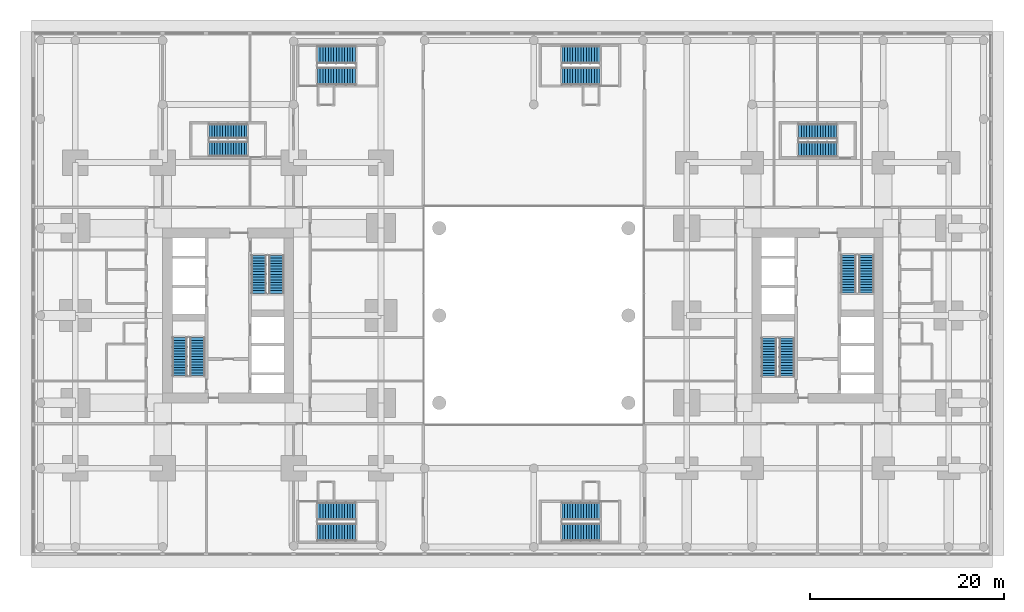
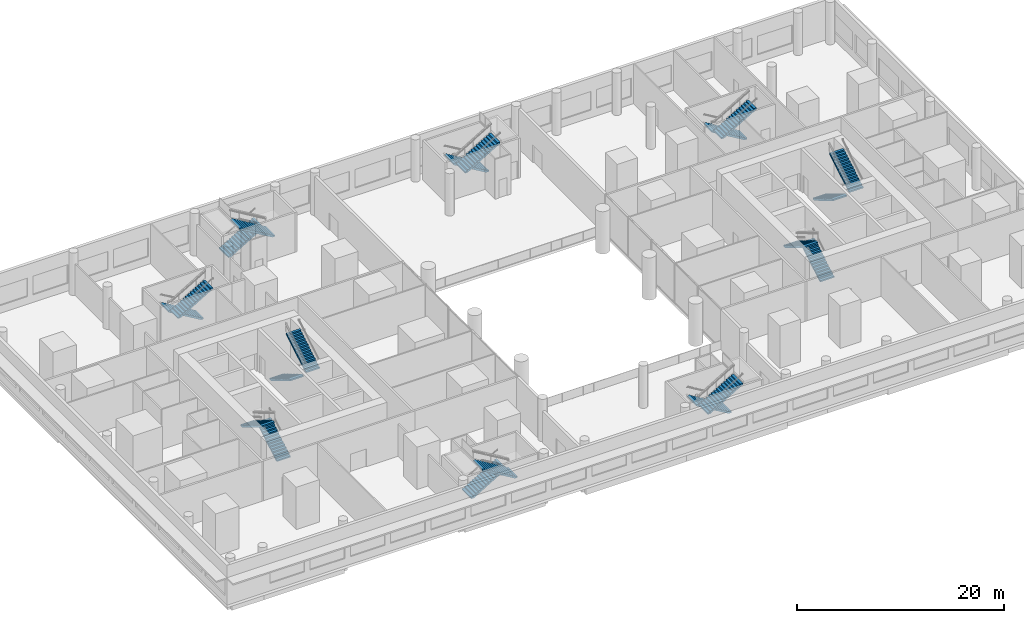
# One storey, part 18 of 22: 20 stair flights, 10 elements without a shape of their own.
"""IFC4 building model written with IfcOpenShell, lengths in metres."""

import ifcopenshell
import ifcopenshell.guid

model = None  # the IFC model being written
_history = None  # IfcOwnerHistory: only IFC2X3 demands one
_inside = {}  # id of a spatial element -> (the spatial element, [elements in it])
_under = {}  # id of a project, library or spatial element -> (it, [spatial elements below it])
_declared = {}  # id of a project -> (the project, [libraries it declares])
_typed = {}  # id of a type object -> (the type object, [elements of that type])
_made_of = {}  # id of a material, layer set ... -> (it, [elements and type objects made of it])


def new_model(schema):
    """Start an empty IFC model of exactly this schema.

    Asked for "IFC4X3", IfcOpenShell would pick the latest addendum, in which some entities
    have other attributes; the version numbers below select the first issue.
    IFC2X3 requires an IfcOwnerHistory on every rooted entity: one is made here for all.
    """
    global model, _history
    if schema == "IFC4X3":
        model = ifcopenshell.file(schema_version=(4, 3, 0, 0))
    else:
        model = ifcopenshell.file(schema=schema)
    _inside.clear()
    _under.clear()
    _declared.clear()
    _typed.clear()
    _made_of.clear()
    _history = None
    if model.schema == "IFC2X3":
        org = make("IfcOrganization", Name="unknown")
        user = make(
            "IfcPersonAndOrganization",
            ThePerson=make("IfcPerson", FamilyName="unknown"),
            TheOrganization=org,
        )
        app = make(
            "IfcApplication",
            ApplicationDeveloper=org,
            Version="unknown",
            ApplicationFullName="unknown",
            ApplicationIdentifier="unknown",
        )
        _history = make(
            "IfcOwnerHistory",
            OwningUser=user,
            OwningApplication=app,
            ChangeAction="ADDED",
            CreationDate=0,
        )
    return model


def make(cls, **values):
    """One entity of the class cls with the attributes given. An attribute that is None is left unset."""
    return model.create_entity(
        cls, **{name: value for name, value in values.items() if value is not None}
    )


def rooted(cls, **values):
    """An entity with a GlobalId (a new one), such as an element, a storey or a relation."""
    return make(cls, GlobalId=ifcopenshell.guid.new(), OwnerHistory=_history, **values)


def si_unit(unit_type, name, prefix=None):
    """IfcSIUnit, for example si_unit("LENGTHUNIT", "METRE", prefix="MILLI")."""
    return make("IfcSIUnit", UnitType=unit_type, Prefix=prefix, Name=name)


def assignment(units):
    """IfcUnitAssignment: the units of a project."""
    return None if units is None else make("IfcUnitAssignment", Units=units)


def point(xyz):
    """IfcCartesianPoint."""
    return None if xyz is None else make("IfcCartesianPoint", Coordinates=xyz)


def direction(xyz):
    """IfcDirection."""
    return None if xyz is None else make("IfcDirection", DirectionRatios=xyz)


def frame(location, z_axis=None, x_axis=None):
    """IfcAxis2Placement3D, a coordinate frame: its origin and axes. An axis left out is left unset."""
    return make(
        "IfcAxis2Placement3D",
        Location=point(location),
        Axis=direction(z_axis),
        RefDirection=direction(x_axis),
    )


def origin():
    """The frame at (0, 0, 0) with its axes left unset."""
    return frame((0.0, 0.0, 0.0))


def place(relative_to, where):
    """IfcLocalPlacement: puts the frame where relative to a parent placement (None: the world)."""
    return make(
        "IfcLocalPlacement", PlacementRelTo=relative_to, RelativePlacement=where
    )


def context(
    kind, dimensions, precision=None, world=None, true_north=None, identifier=None
):
    """IfcGeometricRepresentationContext, for example the 3D "Model" context."""
    return make(
        "IfcGeometricRepresentationContext",
        ContextIdentifier=identifier,
        ContextType=kind,
        CoordinateSpaceDimension=dimensions,
        Precision=precision,
        WorldCoordinateSystem=world,
        TrueNorth=true_north,
    )


def subcontext(parent, identifier, kind, view, scale=None):
    """IfcGeometricRepresentationSubContext, for example "Body" below "Model"."""
    return make(
        "IfcGeometricRepresentationSubContext",
        ContextIdentifier=identifier,
        ContextType=kind,
        ParentContext=parent,
        TargetScale=scale,
        TargetView=view,
    )


def project(units=None, contexts=None):
    """IfcProject with its units and contexts."""
    return rooted(
        "IfcProject",
        Name="project",
        RepresentationContexts=contexts,
        UnitsInContext=assignment(units),
    )


def spatial(cls, under=None, at=None, **own):
    """A site, building, storey or space (cls), placed at a placement, below another one or the project."""
    s = rooted(cls, ObjectPlacement=at, **own)
    if under is not None:
        _under.setdefault(under.id(), (under, []))[1].append(s)
    return s


def polyline(points):
    """IfcPolyline through the points."""
    return make("IfcPolyline", Points=[point(p) for p in points])


def outline(outer, holes=None, kind="AREA"):
    """IfcArbitraryClosedProfileDef: a profile drawn as a closed curve; with holes, ...WithVoids."""
    if holes is None:
        return make("IfcArbitraryClosedProfileDef", ProfileType=kind, OuterCurve=outer)
    return make(
        "IfcArbitraryProfileDefWithVoids",
        ProfileType=kind,
        OuterCurve=outer,
        InnerCurves=holes,
    )


def extrude(swept, where, along, depth):
    """IfcExtrudedAreaSolid: the profile swept, set in the frame where, extruded along a direction by depth."""
    return make(
        "IfcExtrudedAreaSolid",
        SweptArea=swept,
        Position=where,
        ExtrudedDirection=direction(along),
        Depth=depth,
    )


def shape(context_of_items, identifier, shape_type, items):
    """IfcShapeRepresentation: the items that make up one representation, for example the "Body"."""
    return make(
        "IfcShapeRepresentation",
        ContextOfItems=context_of_items,
        RepresentationIdentifier=identifier,
        RepresentationType=shape_type,
        Items=items,
    )


def material(Name=None, Category=None):
    """IfcMaterial."""
    return make("IfcMaterial", Name=Name, Category=Category)


def made_of(thing, what):
    """Note that an element or type object is made of a material, layer set ...; save() writes the relation."""
    if what is not None:
        _made_of.setdefault(what.id(), (what, []))[1].append(thing)
    return thing


def type_object(cls, material=None, **own):
    """A type object (cls), such as IfcWallType, which elements share."""
    return made_of(rooted(cls, **own), material)


def element(
    cls,
    number,
    at=None,
    inside=None,
    cuts=None,
    type_object=None,
    material=None,
    context=None,
    identifier="Body",
    shape_type=None,
    held_by="IfcProductDefinitionShape",
    body=None,
    shapes=None,
    **own,
):
    """One element of the class cls, such as IfcWall. Its Tag is "e" and its number.

    at: its placement. inside: the storey or other place that contains it. cuts: it is an
    opening in that element (IfcRelVoidsElement). A single representation is given by context,
    identifier, shape_type and body (its items); several are given by shapes. held_by: the class
    of the entity that holds the representations. save() writes the other relations.
    """
    e = rooted(cls, Tag="e%d" % number, ObjectPlacement=at, **own)
    if body is not None:
        shapes = [shape(context, identifier, shape_type, body)]
    if shapes is not None:
        e.Representation = make(held_by, Representations=shapes)
    if inside is not None:
        _inside.setdefault(inside.id(), (inside, []))[1].append(e)
    if cuts is not None:
        rooted(
            "IfcRelVoidsElement", RelatingBuildingElement=cuts, RelatedOpeningElement=e
        )
    if type_object is not None:
        _typed.setdefault(type_object.id(), (type_object, []))[1].append(e)
    return made_of(e, material)


def aggregate(whole, parts):
    """IfcRelAggregates: a whole, such as a stair, and the parts it consists of."""
    return rooted("IfcRelAggregates", RelatingObject=whole, RelatedObjects=parts)


def save(model, path):
    """Write the relations noted so far, then the file.

    IfcRelAggregates (storeys below a building ...), IfcRelContainedInSpatialStructure (elements
    in a storey), IfcRelDefinesByType, IfcRelAssociatesMaterial and IfcRelDeclares: one each for
    every whole, place, type object, material and project.
    """
    for whole, parts in _under.values():
        aggregate(whole, parts)
    for where, things in _inside.values():
        rooted(
            "IfcRelContainedInSpatialStructure",
            RelatedElements=things,
            RelatingStructure=where,
        )
    for kind, things in _typed.values():
        rooted("IfcRelDefinesByType", RelatedObjects=things, RelatingType=kind)
    for what, things in _made_of.values():
        rooted("IfcRelAssociatesMaterial", RelatedObjects=things, RelatingMaterial=what)
    for by, libraries in _declared.values():
        rooted("IfcRelDeclares", RelatingContext=by, RelatedDefinitions=libraries)
    model.write(path)


model = new_model("IFC4")

# Units and contexts
model_context = context("Model", 3, precision=1e-05, world=origin(), true_north=direction((0.0, 1.0)))
body_context = subcontext(model_context, "Body", "Model", "MODEL_VIEW")
ifc_project = project(units=[si_unit("LENGTHUNIT", "METRE"), si_unit("AREAUNIT", "SQUARE_METRE"), si_unit("VOLUMEUNIT", "CUBIC_METRE"), si_unit("PLANEANGLEUNIT", "RADIAN"), si_unit("MASSUNIT", "GRAM", prefix="KILO")], contexts=[model_context])

# Site, building, storey
site_placement = place(None, origin())
site = spatial("IfcSite", under=ifc_project, at=site_placement, CompositionType="ELEMENT")
building_placement = place(site_placement, origin())
building = spatial("IfcBuilding", under=site, at=building_placement, Name="Namib Vertical Campus", CompositionType="ELEMENT")
storey_placement = place(building_placement, frame((0.0, 0.0, 11.0)))
storey = spatial("IfcBuildingStorey", under=building, at=storey_placement, Name="L02", CompositionType="ELEMENT", Elevation=11.0)

# Stair, stair flights
ifc_material_1 = material(Name="Concrete C40/50 precast", Category="concrete")
stair_type_1 = type_object("IfcStairType", Name="Exit stair 5000 rise 30 risers 3350 wide", PredefinedType="HALF_TURN_STAIR", material=ifc_material_1)
stair_1_placement = place(storey_placement, origin())
stair_1 = element("IfcStair", 1, at=stair_1_placement, inside=storey, type_object=stair_type_1, Name="Exit stair A-S1 L02", PredefinedType="HALF_TURN_STAIR")
ifc_material_2 = material(Name="Concrete C40/50 precast", Category="concrete")
stair_flight_type_1 = type_object("IfcStairFlightType", Name="Stair flight 15 risers 167 1525 wide", PredefinedType="STRAIGHT", material=ifc_material_2)
stair_flight_1_placement = place(storey_placement, frame((17.08740234375, 14.050048828125, 0.0), z_axis=(0.0, 0.0, 1.0), x_axis=(0.0, 1.0, 0.0)))
stair_flight_1 = element("IfcStairFlight", 2, at=stair_flight_1_placement, type_object=stair_flight_type_1, Name="A-S1 flight 1", NumberOfRisers=15, NumberOfTreads=14, PredefinedType="STRAIGHT", RiserHeight=0.166666667, TreadLength=0.28, context=body_context, shape_type="SweptSolid", body=[
    extrude(outline(polyline([(0.0, 0.0), (0.0, 0.166748046875), (0.280029296875, 0.166748046875), (0.280029296875, 0.333251953125), (0.56005859375, 0.333251953125), (0.56005859375, 0.5), (0.840087890625, 0.5), (0.840087890625, 0.666748046875), (1.1201171875, 0.666748046875), (1.1201171875, 0.833251953125), (1.39990234375, 0.833251953125), (1.39990234375, 1.0), (1.679931640625, 1.0), (1.679931640625, 1.166748046875), (1.9599609375, 1.166748046875), (1.9599609375, 1.333251953125), (2.239990234375, 1.333251953125), (2.239990234375, 1.5), (2.52001953125, 1.5), (2.52001953125, 1.666748046875), (2.800048828125, 1.666748046875), (2.800048828125, 1.833251953125), (3.080078125, 1.833251953125), (3.080078125, 2.0), (3.360107421875, 2.0), (3.360107421875, 2.166748046875), (3.639892578125, 2.166748046875), (3.639892578125, 2.333251953125), (3.919921875, 2.333251953125), (3.919921875, 2.5), (3.919921875, 2.158935546875), (0.29296875, 0.0), (0.0, 0.0)])), frame((0.0, 0.762451171875, 0.0), z_axis=(0.0, -1.0, 0.0), x_axis=(1.0, 0.0, 0.0)), (0.0, 0.0, 1.0), 1.52490234375),
])
stair_flight_2_placement = place(storey_placement, frame((15.262451171875, 17.969970703125, 2.5), z_axis=(0.0, 0.0, 1.0), x_axis=(0.0, -1.0, 0.0)))
stair_flight_2 = element("IfcStairFlight", 3, at=stair_flight_2_placement, type_object=stair_flight_type_1, Name="A-S1 flight 2", NumberOfRisers=15, NumberOfTreads=14, PredefinedType="STRAIGHT", RiserHeight=0.166666667, TreadLength=0.28, context=body_context, shape_type="SweptSolid", body=[
    extrude(outline(polyline([(0.0, 0.0), (0.0, 0.166748046875), (0.280029296875, 0.166748046875), (0.280029296875, 0.333251953125), (0.56005859375, 0.333251953125), (0.56005859375, 0.5), (0.840087890625, 0.5), (0.840087890625, 0.666748046875), (1.1201171875, 0.666748046875), (1.1201171875, 0.833251953125), (1.39990234375, 0.833251953125), (1.39990234375, 1.0), (1.679931640625, 1.0), (1.679931640625, 1.166748046875), (1.9599609375, 1.166748046875), (1.9599609375, 1.333251953125), (2.239990234375, 1.333251953125), (2.239990234375, 1.5), (2.52001953125, 1.5), (2.52001953125, 1.666748046875), (2.800048828125, 1.666748046875), (2.800048828125, 1.833251953125), (3.080078125, 1.833251953125), (3.080078125, 2.0), (3.360107421875, 2.0), (3.360107421875, 2.166748046875), (3.639892578125, 2.166748046875), (3.639892578125, 2.333251953125), (3.919921875, 2.333251953125), (3.919921875, 2.5), (3.919921875, 2.158935546875), (0.29296875, 0.0), (0.0, 0.0)])), frame((0.0, 0.762451171875, 0.0), z_axis=(0.0, -1.0, 0.0), x_axis=(1.0, 0.0, 0.0)), (0.0, 0.0, 1.0), 1.52490234375),
])
aggregate(stair_1, [stair_flight_1, stair_flight_2])

stair_2_placement = place(storey_placement, origin())
stair_2 = element("IfcStair", 4, at=stair_2_placement, inside=storey, type_object=stair_type_1, Name="Exit stair A-S2 L02", PredefinedType="HALF_TURN_STAIR")
stair_flight_3_placement = place(storey_placement, frame((23.41259765625, 26.449951171875, 0.0), z_axis=(0.0, 0.0, 1.0), x_axis=(0.0, -1.0, 0.0)))
stair_flight_3 = element("IfcStairFlight", 5, at=stair_flight_3_placement, type_object=stair_flight_type_1, Name="A-S2 flight 1", NumberOfRisers=15, NumberOfTreads=14, PredefinedType="STRAIGHT", RiserHeight=0.166666667, TreadLength=0.28, context=body_context, shape_type="SweptSolid", body=[
    extrude(outline(polyline([(0.0, 0.0), (0.0, 0.166748046875), (0.280029296875, 0.166748046875), (0.280029296875, 0.333251953125), (0.56005859375, 0.333251953125), (0.56005859375, 0.5), (0.840087890625, 0.5), (0.840087890625, 0.666748046875), (1.1201171875, 0.666748046875), (1.1201171875, 0.833251953125), (1.39990234375, 0.833251953125), (1.39990234375, 1.0), (1.679931640625, 1.0), (1.679931640625, 1.166748046875), (1.9599609375, 1.166748046875), (1.9599609375, 1.333251953125), (2.239990234375, 1.333251953125), (2.239990234375, 1.5), (2.52001953125, 1.5), (2.52001953125, 1.666748046875), (2.800048828125, 1.666748046875), (2.800048828125, 1.833251953125), (3.080078125, 1.833251953125), (3.080078125, 2.0), (3.360107421875, 2.0), (3.360107421875, 2.166748046875), (3.639892578125, 2.166748046875), (3.639892578125, 2.333251953125), (3.919921875, 2.333251953125), (3.919921875, 2.5), (3.919921875, 2.158935546875), (0.29296875, 0.0), (0.0, 0.0)])), frame((0.0, 0.762451171875, 0.0), z_axis=(0.0, -1.0, 0.0), x_axis=(1.0, 0.0, 0.0)), (0.0, 0.0, 1.0), 1.52490234375),
])
stair_flight_4_placement = place(storey_placement, frame((25.237548828125, 22.530029296875, 2.5), z_axis=(0.0, 0.0, 1.0), x_axis=(0.0, 1.0, 0.0)))
stair_flight_4 = element("IfcStairFlight", 6, at=stair_flight_4_placement, type_object=stair_flight_type_1, Name="A-S2 flight 2", NumberOfRisers=15, NumberOfTreads=14, PredefinedType="STRAIGHT", RiserHeight=0.166666667, TreadLength=0.28, context=body_context, shape_type="SweptSolid", body=[
    extrude(outline(polyline([(0.0, 0.0), (0.0, 0.166748046875), (0.280029296875, 0.166748046875), (0.280029296875, 0.333251953125), (0.56005859375, 0.333251953125), (0.56005859375, 0.5), (0.840087890625, 0.5), (0.840087890625, 0.666748046875), (1.1201171875, 0.666748046875), (1.1201171875, 0.833251953125), (1.39990234375, 0.833251953125), (1.39990234375, 1.0), (1.679931640625, 1.0), (1.679931640625, 1.166748046875), (1.9599609375, 1.166748046875), (1.9599609375, 1.333251953125), (2.239990234375, 1.333251953125), (2.239990234375, 1.5), (2.52001953125, 1.5), (2.52001953125, 1.666748046875), (2.800048828125, 1.666748046875), (2.800048828125, 1.833251953125), (3.080078125, 1.833251953125), (3.080078125, 2.0), (3.360107421875, 2.0), (3.360107421875, 2.166748046875), (3.639892578125, 2.166748046875), (3.639892578125, 2.333251953125), (3.919921875, 2.333251953125), (3.919921875, 2.5), (3.919921875, 2.158935546875), (0.29296875, 0.0), (0.0, 0.0)])), frame((0.0, 0.762451171875, 0.0), z_axis=(0.0, -1.0, 0.0), x_axis=(1.0, 0.0, 0.0)), (0.0, 0.0, 1.0), 1.52490234375),
])
aggregate(stair_2, [stair_flight_3, stair_flight_4])

stair_3_placement = place(storey_placement, origin())
stair_3 = element("IfcStair", 7, at=stair_3_placement, inside=storey, type_object=stair_type_1, Name="Exit stair A-S3 L02", PredefinedType="HALF_TURN_STAIR")
stair_flight_5_placement = place(storey_placement, frame((22.199951171875, 39.237548828125, 0.0), z_axis=(0.0, 0.0, 1.0), x_axis=(-1.0, 0.0, 0.0)))
stair_flight_5 = element("IfcStairFlight", 8, at=stair_flight_5_placement, type_object=stair_flight_type_1, Name="A-S3 flight 1", NumberOfRisers=15, NumberOfTreads=14, PredefinedType="STRAIGHT", RiserHeight=0.166666667, TreadLength=0.28, context=body_context, shape_type="SweptSolid", body=[
    extrude(outline(polyline([(0.0, 0.0), (0.0, 0.166748046875), (0.280029296875, 0.166748046875), (0.280029296875, 0.333251953125), (0.56005859375, 0.333251953125), (0.56005859375, 0.5), (0.840087890625, 0.5), (0.840087890625, 0.666748046875), (1.1201171875, 0.666748046875), (1.1201171875, 0.833251953125), (1.39990234375, 0.833251953125), (1.39990234375, 1.0), (1.679931640625, 1.0), (1.679931640625, 1.166748046875), (1.9599609375, 1.166748046875), (1.9599609375, 1.333251953125), (2.239990234375, 1.333251953125), (2.239990234375, 1.5), (2.52001953125, 1.5), (2.52001953125, 1.666748046875), (2.800048828125, 1.666748046875), (2.800048828125, 1.833251953125), (3.080078125, 1.833251953125), (3.080078125, 2.0), (3.360107421875, 2.0), (3.360107421875, 2.166748046875), (3.639892578125, 2.166748046875), (3.639892578125, 2.333251953125), (3.919921875, 2.333251953125), (3.919921875, 2.5), (3.919921875, 2.158935546875), (0.29296875, 0.0), (0.0, 0.0)])), frame((0.0, 0.762451171875, 0.0), z_axis=(0.0, -1.0, 0.0), x_axis=(1.0, 0.0, 0.0)), (0.0, 0.0, 1.0), 1.52490234375),
])
stair_flight_6_placement = place(storey_placement, frame((18.280029296875, 37.41259765625, 2.5), z_axis=(0.0, 0.0, 1.0), x_axis=(1.0, 0.0, 0.0)))
stair_flight_6 = element("IfcStairFlight", 9, at=stair_flight_6_placement, type_object=stair_flight_type_1, Name="A-S3 flight 2", NumberOfRisers=15, NumberOfTreads=14, PredefinedType="STRAIGHT", RiserHeight=0.166666667, TreadLength=0.28, context=body_context, shape_type="SweptSolid", body=[
    extrude(outline(polyline([(0.0, 0.0), (0.0, 0.166748046875), (0.280029296875, 0.166748046875), (0.280029296875, 0.333251953125), (0.56005859375, 0.333251953125), (0.56005859375, 0.5), (0.840087890625, 0.5), (0.840087890625, 0.666748046875), (1.1201171875, 0.666748046875), (1.1201171875, 0.833251953125), (1.39990234375, 0.833251953125), (1.39990234375, 1.0), (1.679931640625, 1.0), (1.679931640625, 1.166748046875), (1.9599609375, 1.166748046875), (1.9599609375, 1.333251953125), (2.239990234375, 1.333251953125), (2.239990234375, 1.5), (2.52001953125, 1.5), (2.52001953125, 1.666748046875), (2.800048828125, 1.666748046875), (2.800048828125, 1.833251953125), (3.080078125, 1.833251953125), (3.080078125, 2.0), (3.360107421875, 2.0), (3.360107421875, 2.166748046875), (3.639892578125, 2.166748046875), (3.639892578125, 2.333251953125), (3.919921875, 2.333251953125), (3.919921875, 2.5), (3.919921875, 2.158935546875), (0.29296875, 0.0), (0.0, 0.0)])), frame((0.0, 0.762451171875, 0.0), z_axis=(0.0, -1.0, 0.0), x_axis=(1.0, 0.0, 0.0)), (0.0, 0.0, 1.0), 1.52490234375),
])
aggregate(stair_3, [stair_flight_5, stair_flight_6])

ifc_material_3 = material(Name="Concrete C40/50 precast", Category="concrete")
stair_type_2 = type_object("IfcStairType", Name="Exit stair 5000 rise 30 risers 3400 wide", PredefinedType="HALF_TURN_STAIR", material=ifc_material_3)
stair_4_placement = place(storey_placement, origin())
stair_4 = element("IfcStair", 10, at=stair_4_placement, inside=storey, type_object=stair_type_2, Name="Exit stair B-S1 L02", PredefinedType="HALF_TURN_STAIR")
ifc_material_4 = material(Name="Concrete C40/50 precast", Category="concrete")
stair_flight_type_2 = type_object("IfcStairFlightType", Name="Stair flight 15 risers 167 1550 wide", PredefinedType="STRAIGHT", material=ifc_material_4)
stair_flight_7_placement = place(storey_placement, frame((77.824951171875, 14.0, 0.0), z_axis=(0.0, 0.0, 1.0), x_axis=(0.0, 1.0, 0.0)))
stair_flight_7 = element("IfcStairFlight", 11, at=stair_flight_7_placement, type_object=stair_flight_type_2, Name="B-S1 flight 1", NumberOfRisers=15, NumberOfTreads=14, PredefinedType="STRAIGHT", RiserHeight=0.166666667, TreadLength=0.28, context=body_context, shape_type="SweptSolid", body=[
    extrude(outline(polyline([(0.0, 0.0), (0.0, 0.166748046875), (0.280029296875, 0.166748046875), (0.280029296875, 0.333251953125), (0.56005859375, 0.333251953125), (0.56005859375, 0.5), (0.840087890625, 0.5), (0.840087890625, 0.666748046875), (1.1201171875, 0.666748046875), (1.1201171875, 0.833251953125), (1.39990234375, 0.833251953125), (1.39990234375, 1.0), (1.679931640625, 1.0), (1.679931640625, 1.166748046875), (1.9599609375, 1.166748046875), (1.9599609375, 1.333251953125), (2.239990234375, 1.333251953125), (2.239990234375, 1.5), (2.52001953125, 1.5), (2.52001953125, 1.666748046875), (2.800048828125, 1.666748046875), (2.800048828125, 1.833251953125), (3.080078125, 1.833251953125), (3.080078125, 2.0), (3.360107421875, 2.0), (3.360107421875, 2.166748046875), (3.639892578125, 2.166748046875), (3.639892578125, 2.333251953125), (3.919921875, 2.333251953125), (3.919921875, 2.5), (3.919921875, 2.158935546875), (0.29296875, 0.0), (0.0, 0.0)])), frame((0.0, 0.77490234375, 0.0), z_axis=(0.0, -1.0, 0.0), x_axis=(1.0, 0.0, 0.0)), (0.0, 0.0, 1.0), 1.550048828125),
])
stair_flight_8_placement = place(storey_placement, frame((75.97509765625, 17.919921875, 2.5), z_axis=(0.0, 0.0, 1.0), x_axis=(0.0, -1.0, 0.0)))
stair_flight_8 = element("IfcStairFlight", 12, at=stair_flight_8_placement, type_object=stair_flight_type_2, Name="B-S1 flight 2", NumberOfRisers=15, NumberOfTreads=14, PredefinedType="STRAIGHT", RiserHeight=0.166666667, TreadLength=0.28, context=body_context, shape_type="SweptSolid", body=[
    extrude(outline(polyline([(0.0, 0.0), (0.0, 0.166748046875), (0.280029296875, 0.166748046875), (0.280029296875, 0.333251953125), (0.56005859375, 0.333251953125), (0.56005859375, 0.5), (0.840087890625, 0.5), (0.840087890625, 0.666748046875), (1.1201171875, 0.666748046875), (1.1201171875, 0.833251953125), (1.39990234375, 0.833251953125), (1.39990234375, 1.0), (1.679931640625, 1.0), (1.679931640625, 1.166748046875), (1.9599609375, 1.166748046875), (1.9599609375, 1.333251953125), (2.239990234375, 1.333251953125), (2.239990234375, 1.5), (2.52001953125, 1.5), (2.52001953125, 1.666748046875), (2.800048828125, 1.666748046875), (2.800048828125, 1.833251953125), (3.080078125, 1.833251953125), (3.080078125, 2.0), (3.360107421875, 2.0), (3.360107421875, 2.166748046875), (3.639892578125, 2.166748046875), (3.639892578125, 2.333251953125), (3.919921875, 2.333251953125), (3.919921875, 2.5), (3.919921875, 2.158935546875), (0.29296875, 0.0), (0.0, 0.0)])), frame((0.0, 0.77490234375, 0.0), z_axis=(0.0, -1.0, 0.0), x_axis=(1.0, 0.0, 0.0)), (0.0, 0.0, 1.0), 1.550048828125),
])
aggregate(stair_4, [stair_flight_7, stair_flight_8])

stair_5_placement = place(storey_placement, origin())
stair_5 = element("IfcStair", 13, at=stair_5_placement, inside=storey, type_object=stair_type_2, Name="Exit stair B-S2 L02", PredefinedType="HALF_TURN_STAIR")
stair_flight_9_placement = place(storey_placement, frame((84.175048828125, 26.5, 0.0), z_axis=(0.0, 0.0, 1.0), x_axis=(0.0, -1.0, 0.0)))
stair_flight_9 = element("IfcStairFlight", 14, at=stair_flight_9_placement, type_object=stair_flight_type_2, Name="B-S2 flight 1", NumberOfRisers=15, NumberOfTreads=14, PredefinedType="STRAIGHT", RiserHeight=0.166666667, TreadLength=0.28, context=body_context, shape_type="SweptSolid", body=[
    extrude(outline(polyline([(0.0, 0.0), (0.0, 0.166748046875), (0.280029296875, 0.166748046875), (0.280029296875, 0.333251953125), (0.56005859375, 0.333251953125), (0.56005859375, 0.5), (0.840087890625, 0.5), (0.840087890625, 0.666748046875), (1.1201171875, 0.666748046875), (1.1201171875, 0.833251953125), (1.39990234375, 0.833251953125), (1.39990234375, 1.0), (1.679931640625, 1.0), (1.679931640625, 1.166748046875), (1.9599609375, 1.166748046875), (1.9599609375, 1.333251953125), (2.239990234375, 1.333251953125), (2.239990234375, 1.5), (2.52001953125, 1.5), (2.52001953125, 1.666748046875), (2.800048828125, 1.666748046875), (2.800048828125, 1.833251953125), (3.080078125, 1.833251953125), (3.080078125, 2.0), (3.360107421875, 2.0), (3.360107421875, 2.166748046875), (3.639892578125, 2.166748046875), (3.639892578125, 2.333251953125), (3.919921875, 2.333251953125), (3.919921875, 2.5), (3.919921875, 2.158935546875), (0.29296875, 0.0), (0.0, 0.0)])), frame((0.0, 0.77490234375, 0.0), z_axis=(0.0, -1.0, 0.0), x_axis=(1.0, 0.0, 0.0)), (0.0, 0.0, 1.0), 1.550048828125),
])
stair_flight_10_placement = place(storey_placement, frame((86.02490234375, 22.580078125, 2.5), z_axis=(0.0, 0.0, 1.0), x_axis=(0.0, 1.0, 0.0)))
stair_flight_10 = element("IfcStairFlight", 15, at=stair_flight_10_placement, type_object=stair_flight_type_2, Name="B-S2 flight 2", NumberOfRisers=15, NumberOfTreads=14, PredefinedType="STRAIGHT", RiserHeight=0.166666667, TreadLength=0.28, context=body_context, shape_type="SweptSolid", body=[
    extrude(outline(polyline([(0.0, 0.0), (0.0, 0.166748046875), (0.280029296875, 0.166748046875), (0.280029296875, 0.333251953125), (0.56005859375, 0.333251953125), (0.56005859375, 0.5), (0.840087890625, 0.5), (0.840087890625, 0.666748046875), (1.1201171875, 0.666748046875), (1.1201171875, 0.833251953125), (1.39990234375, 0.833251953125), (1.39990234375, 1.0), (1.679931640625, 1.0), (1.679931640625, 1.166748046875), (1.9599609375, 1.166748046875), (1.9599609375, 1.333251953125), (2.239990234375, 1.333251953125), (2.239990234375, 1.5), (2.52001953125, 1.5), (2.52001953125, 1.666748046875), (2.800048828125, 1.666748046875), (2.800048828125, 1.833251953125), (3.080078125, 1.833251953125), (3.080078125, 2.0), (3.360107421875, 2.0), (3.360107421875, 2.166748046875), (3.639892578125, 2.166748046875), (3.639892578125, 2.333251953125), (3.919921875, 2.333251953125), (3.919921875, 2.5), (3.919921875, 2.158935546875), (0.29296875, 0.0), (0.0, 0.0)])), frame((0.0, 0.77490234375, 0.0), z_axis=(0.0, -1.0, 0.0), x_axis=(1.0, 0.0, 0.0)), (0.0, 0.0, 1.0), 1.550048828125),
])
aggregate(stair_5, [stair_flight_9, stair_flight_10])

stair_6_placement = place(storey_placement, origin())
stair_6 = element("IfcStair", 16, at=stair_6_placement, inside=storey, type_object=stair_type_2, Name="Exit stair B-S3 L02", PredefinedType="HALF_TURN_STAIR")
stair_flight_11_placement = place(storey_placement, frame((82.949951171875, 39.22509765625, 0.0), z_axis=(0.0, 0.0, 1.0), x_axis=(-1.0, 0.0, 0.0)))
stair_flight_11 = element("IfcStairFlight", 17, at=stair_flight_11_placement, type_object=stair_flight_type_2, Name="B-S3 flight 1", NumberOfRisers=15, NumberOfTreads=14, PredefinedType="STRAIGHT", RiserHeight=0.166666667, TreadLength=0.28, context=body_context, shape_type="SweptSolid", body=[
    extrude(outline(polyline([(0.0, 0.0), (0.0, 0.166748046875), (0.280029296875, 0.166748046875), (0.280029296875, 0.333251953125), (0.56005859375, 0.333251953125), (0.56005859375, 0.5), (0.840087890625, 0.5), (0.840087890625, 0.666748046875), (1.1201171875, 0.666748046875), (1.1201171875, 0.833251953125), (1.39990234375, 0.833251953125), (1.39990234375, 1.0), (1.679931640625, 1.0), (1.679931640625, 1.166748046875), (1.9599609375, 1.166748046875), (1.9599609375, 1.333251953125), (2.239990234375, 1.333251953125), (2.239990234375, 1.5), (2.52001953125, 1.5), (2.52001953125, 1.666748046875), (2.800048828125, 1.666748046875), (2.800048828125, 1.833251953125), (3.080078125, 1.833251953125), (3.080078125, 2.0), (3.360107421875, 2.0), (3.360107421875, 2.166748046875), (3.639892578125, 2.166748046875), (3.639892578125, 2.333251953125), (3.919921875, 2.333251953125), (3.919921875, 2.5), (3.919921875, 2.158935546875), (0.29296875, 0.0), (0.0, 0.0)])), frame((0.0, 0.77490234375, 0.0), z_axis=(0.0, -1.0, 0.0), x_axis=(1.0, 0.0, 0.0)), (0.0, 0.0, 1.0), 1.550048828125),
])
stair_flight_12_placement = place(storey_placement, frame((79.030029296875, 37.375, 2.5), z_axis=(0.0, 0.0, 1.0), x_axis=(1.0, 0.0, 0.0)))
stair_flight_12 = element("IfcStairFlight", 18, at=stair_flight_12_placement, type_object=stair_flight_type_2, Name="B-S3 flight 2", NumberOfRisers=15, NumberOfTreads=14, PredefinedType="STRAIGHT", RiserHeight=0.166666667, TreadLength=0.28, context=body_context, shape_type="SweptSolid", body=[
    extrude(outline(polyline([(0.0, 0.0), (0.0, 0.166748046875), (0.280029296875, 0.166748046875), (0.280029296875, 0.333251953125), (0.56005859375, 0.333251953125), (0.56005859375, 0.5), (0.840087890625, 0.5), (0.840087890625, 0.666748046875), (1.1201171875, 0.666748046875), (1.1201171875, 0.833251953125), (1.39990234375, 0.833251953125), (1.39990234375, 1.0), (1.679931640625, 1.0), (1.679931640625, 1.166748046875), (1.9599609375, 1.166748046875), (1.9599609375, 1.333251953125), (2.239990234375, 1.333251953125), (2.239990234375, 1.5), (2.52001953125, 1.5), (2.52001953125, 1.666748046875), (2.800048828125, 1.666748046875), (2.800048828125, 1.833251953125), (3.080078125, 1.833251953125), (3.080078125, 2.0), (3.360107421875, 2.0), (3.360107421875, 2.166748046875), (3.639892578125, 2.166748046875), (3.639892578125, 2.333251953125), (3.919921875, 2.333251953125), (3.919921875, 2.5), (3.919921875, 2.158935546875), (0.29296875, 0.0), (0.0, 0.0)])), frame((0.0, 0.77490234375, 0.0), z_axis=(0.0, -1.0, 0.0), x_axis=(1.0, 0.0, 0.0)), (0.0, 0.0, 1.0), 1.550048828125),
])
aggregate(stair_6, [stair_flight_11, stair_flight_12])

ifc_material_5 = material(Name="Concrete C40/50 precast", Category="concrete")
stair_type_3 = type_object("IfcStairType", Name="Podium exit stair 5000 rise 30 risers 1800 flights", PredefinedType="HALF_TURN_STAIR", material=ifc_material_5)
stair_7_placement = place(storey_placement, origin())
stair_7 = element("IfcStair", 19, at=stair_7_placement, inside=storey, type_object=stair_type_3, Name="Exit stair P-S1 L02", PredefinedType="HALF_TURN_STAIR")
ifc_material_6 = material(Name="Concrete C40/50 precast", Category="concrete")
stair_flight_type_3 = type_object("IfcStairFlightType", Name="Stair flight 15 risers 167 1800 wide", PredefinedType="STRAIGHT", material=ifc_material_6)
stair_flight_13_placement = place(storey_placement, frame((29.446044921875, 47.10009765625, 0.0), z_axis=(0.0, 0.0, 1.0), x_axis=(1.0, 0.0, 0.0)))
stair_flight_13 = element("IfcStairFlight", 20, at=stair_flight_13_placement, type_object=stair_flight_type_3, Name="P-S1 flight 1", NumberOfRisers=15, NumberOfTreads=14, PredefinedType="STRAIGHT", RiserHeight=0.166666667, TreadLength=0.28, context=body_context, shape_type="SweptSolid", body=[
    extrude(outline(polyline([(0.0, 0.0), (0.0, 0.166748046875), (0.280029296875, 0.166748046875), (0.280029296875, 0.333251953125), (0.56005859375, 0.333251953125), (0.56005859375, 0.5), (0.840087890625, 0.5), (0.840087890625, 0.666748046875), (1.1201171875, 0.666748046875), (1.1201171875, 0.833251953125), (1.39990234375, 0.833251953125), (1.39990234375, 1.0), (1.679931640625, 1.0), (1.679931640625, 1.166748046875), (1.9599609375, 1.166748046875), (1.9599609375, 1.333251953125), (2.239990234375, 1.333251953125), (2.239990234375, 1.5), (2.52001953125, 1.5), (2.52001953125, 1.666748046875), (2.800048828125, 1.666748046875), (2.800048828125, 1.833251953125), (3.080078125, 1.833251953125), (3.080078125, 2.0), (3.360107421875, 2.0), (3.360107421875, 2.166748046875), (3.639892578125, 2.166748046875), (3.639892578125, 2.333251953125), (3.919921875, 2.333251953125), (3.919921875, 2.5), (3.919921875, 2.158935546875), (0.29296875, 0.0), (0.0, 0.0)])), frame((0.0, 0.89990234375, 0.0), z_axis=(0.0, -1.0, 0.0), x_axis=(1.0, 0.0, 0.0)), (0.0, 0.0, 1.0), 1.800048828125),
])
stair_flight_14_placement = place(storey_placement, frame((33.3662109375, 44.89990234375, 2.5), z_axis=(0.0, 0.0, 1.0), x_axis=(-1.0, 0.0, 0.0)))
stair_flight_14 = element("IfcStairFlight", 21, at=stair_flight_14_placement, type_object=stair_flight_type_3, Name="P-S1 flight 2", NumberOfRisers=15, NumberOfTreads=14, PredefinedType="STRAIGHT", RiserHeight=0.166666667, TreadLength=0.28, context=body_context, shape_type="SweptSolid", body=[
    extrude(outline(polyline([(0.0, 0.0), (0.0, 0.166748046875), (0.280029296875, 0.166748046875), (0.280029296875, 0.333251953125), (0.56005859375, 0.333251953125), (0.56005859375, 0.5), (0.840087890625, 0.5), (0.840087890625, 0.666748046875), (1.1201171875, 0.666748046875), (1.1201171875, 0.833251953125), (1.39990234375, 0.833251953125), (1.39990234375, 1.0), (1.679931640625, 1.0), (1.679931640625, 1.166748046875), (1.9599609375, 1.166748046875), (1.9599609375, 1.333251953125), (2.239990234375, 1.333251953125), (2.239990234375, 1.5), (2.52001953125, 1.5), (2.52001953125, 1.666748046875), (2.800048828125, 1.666748046875), (2.800048828125, 1.833251953125), (3.080078125, 1.833251953125), (3.080078125, 2.0), (3.360107421875, 2.0), (3.360107421875, 2.166748046875), (3.639892578125, 2.166748046875), (3.639892578125, 2.333251953125), (3.919921875, 2.333251953125), (3.919921875, 2.5), (3.919921875, 2.158935546875), (0.29296875, 0.0), (0.0, 0.0)])), frame((0.0, 0.89990234375, 0.0), z_axis=(0.0, -1.0, 0.0), x_axis=(1.0, 0.0, 0.0)), (0.0, 0.0, 1.0), 1.800048828125),
])
aggregate(stair_7, [stair_flight_13, stair_flight_14])

stair_8_placement = place(storey_placement, origin())
stair_8 = element("IfcStair", 22, at=stair_8_placement, inside=storey, type_object=stair_type_3, Name="Exit stair P-S2 L02", PredefinedType="HALF_TURN_STAIR")
stair_flight_15_placement = place(storey_placement, frame((29.446044921875, 0.10009765625, 0.0), z_axis=(0.0, 0.0, 1.0), x_axis=(1.0, 0.0, 0.0)))
stair_flight_15 = element("IfcStairFlight", 23, at=stair_flight_15_placement, type_object=stair_flight_type_3, Name="P-S2 flight 1", NumberOfRisers=15, NumberOfTreads=14, PredefinedType="STRAIGHT", RiserHeight=0.166666667, TreadLength=0.28, context=body_context, shape_type="SweptSolid", body=[
    extrude(outline(polyline([(0.0, 0.0), (0.0, 0.166748046875), (0.280029296875, 0.166748046875), (0.280029296875, 0.333251953125), (0.56005859375, 0.333251953125), (0.56005859375, 0.5), (0.840087890625, 0.5), (0.840087890625, 0.666748046875), (1.1201171875, 0.666748046875), (1.1201171875, 0.833251953125), (1.39990234375, 0.833251953125), (1.39990234375, 1.0), (1.679931640625, 1.0), (1.679931640625, 1.166748046875), (1.9599609375, 1.166748046875), (1.9599609375, 1.333251953125), (2.239990234375, 1.333251953125), (2.239990234375, 1.5), (2.52001953125, 1.5), (2.52001953125, 1.666748046875), (2.800048828125, 1.666748046875), (2.800048828125, 1.833251953125), (3.080078125, 1.833251953125), (3.080078125, 2.0), (3.360107421875, 2.0), (3.360107421875, 2.166748046875), (3.639892578125, 2.166748046875), (3.639892578125, 2.333251953125), (3.919921875, 2.333251953125), (3.919921875, 2.5), (3.919921875, 2.158935546875), (0.29296875, 0.0), (0.0, 0.0)])), frame((0.0, 0.89990234375, 0.0), z_axis=(0.0, -1.0, 0.0), x_axis=(1.0, 0.0, 0.0)), (0.0, 0.0, 1.0), 1.800048828125),
])
stair_flight_16_placement = place(storey_placement, frame((33.3662109375, -2.10009765625, 2.5), z_axis=(0.0, 0.0, 1.0), x_axis=(-1.0, 0.0, 0.0)))
stair_flight_16 = element("IfcStairFlight", 24, at=stair_flight_16_placement, type_object=stair_flight_type_3, Name="P-S2 flight 2", NumberOfRisers=15, NumberOfTreads=14, PredefinedType="STRAIGHT", RiserHeight=0.166666667, TreadLength=0.28, context=body_context, shape_type="SweptSolid", body=[
    extrude(outline(polyline([(0.0, 0.0), (0.0, 0.166748046875), (0.280029296875, 0.166748046875), (0.280029296875, 0.333251953125), (0.56005859375, 0.333251953125), (0.56005859375, 0.5), (0.840087890625, 0.5), (0.840087890625, 0.666748046875), (1.1201171875, 0.666748046875), (1.1201171875, 0.833251953125), (1.39990234375, 0.833251953125), (1.39990234375, 1.0), (1.679931640625, 1.0), (1.679931640625, 1.166748046875), (1.9599609375, 1.166748046875), (1.9599609375, 1.333251953125), (2.239990234375, 1.333251953125), (2.239990234375, 1.5), (2.52001953125, 1.5), (2.52001953125, 1.666748046875), (2.800048828125, 1.666748046875), (2.800048828125, 1.833251953125), (3.080078125, 1.833251953125), (3.080078125, 2.0), (3.360107421875, 2.0), (3.360107421875, 2.166748046875), (3.639892578125, 2.166748046875), (3.639892578125, 2.333251953125), (3.919921875, 2.333251953125), (3.919921875, 2.5), (3.919921875, 2.158935546875), (0.29296875, 0.0), (0.0, 0.0)])), frame((0.0, 0.89990234375, 0.0), z_axis=(0.0, -1.0, 0.0), x_axis=(1.0, 0.0, 0.0)), (0.0, 0.0, 1.0), 1.800048828125),
])
aggregate(stair_8, [stair_flight_15, stair_flight_16])

stair_9_placement = place(storey_placement, origin())
stair_9 = element("IfcStair", 25, at=stair_9_placement, inside=storey, type_object=stair_type_3, Name="Exit stair P-S3 L02", PredefinedType="HALF_TURN_STAIR")
stair_flight_17_placement = place(storey_placement, frame((58.553955078125, 47.10009765625, 0.0), z_axis=(0.0, 0.0, 1.0), x_axis=(-1.0, 0.0, 0.0)))
stair_flight_17 = element("IfcStairFlight", 26, at=stair_flight_17_placement, type_object=stair_flight_type_3, Name="P-S3 flight 1", NumberOfRisers=15, NumberOfTreads=14, PredefinedType="STRAIGHT", RiserHeight=0.166666667, TreadLength=0.28, context=body_context, shape_type="SweptSolid", body=[
    extrude(outline(polyline([(0.0, 0.0), (0.0, 0.166748046875), (0.280029296875, 0.166748046875), (0.280029296875, 0.333251953125), (0.56005859375, 0.333251953125), (0.56005859375, 0.5), (0.840087890625, 0.5), (0.840087890625, 0.666748046875), (1.1201171875, 0.666748046875), (1.1201171875, 0.833251953125), (1.39990234375, 0.833251953125), (1.39990234375, 1.0), (1.679931640625, 1.0), (1.679931640625, 1.166748046875), (1.9599609375, 1.166748046875), (1.9599609375, 1.333251953125), (2.239990234375, 1.333251953125), (2.239990234375, 1.5), (2.52001953125, 1.5), (2.52001953125, 1.666748046875), (2.800048828125, 1.666748046875), (2.800048828125, 1.833251953125), (3.080078125, 1.833251953125), (3.080078125, 2.0), (3.360107421875, 2.0), (3.360107421875, 2.166748046875), (3.639892578125, 2.166748046875), (3.639892578125, 2.333251953125), (3.919921875, 2.333251953125), (3.919921875, 2.5), (3.919921875, 2.158935546875), (0.29296875, 0.0), (0.0, 0.0)])), frame((0.0, 0.89990234375, 0.0), z_axis=(0.0, -1.0, 0.0), x_axis=(1.0, 0.0, 0.0)), (0.0, 0.0, 1.0), 1.800048828125),
])
stair_flight_18_placement = place(storey_placement, frame((54.6337890625, 44.89990234375, 2.5), z_axis=(0.0, 0.0, 1.0), x_axis=(1.0, 0.0, 0.0)))
stair_flight_18 = element("IfcStairFlight", 27, at=stair_flight_18_placement, type_object=stair_flight_type_3, Name="P-S3 flight 2", NumberOfRisers=15, NumberOfTreads=14, PredefinedType="STRAIGHT", RiserHeight=0.166666667, TreadLength=0.28, context=body_context, shape_type="SweptSolid", body=[
    extrude(outline(polyline([(0.0, 0.0), (0.0, 0.166748046875), (0.280029296875, 0.166748046875), (0.280029296875, 0.333251953125), (0.56005859375, 0.333251953125), (0.56005859375, 0.5), (0.840087890625, 0.5), (0.840087890625, 0.666748046875), (1.1201171875, 0.666748046875), (1.1201171875, 0.833251953125), (1.39990234375, 0.833251953125), (1.39990234375, 1.0), (1.679931640625, 1.0), (1.679931640625, 1.166748046875), (1.9599609375, 1.166748046875), (1.9599609375, 1.333251953125), (2.239990234375, 1.333251953125), (2.239990234375, 1.5), (2.52001953125, 1.5), (2.52001953125, 1.666748046875), (2.800048828125, 1.666748046875), (2.800048828125, 1.833251953125), (3.080078125, 1.833251953125), (3.080078125, 2.0), (3.360107421875, 2.0), (3.360107421875, 2.166748046875), (3.639892578125, 2.166748046875), (3.639892578125, 2.333251953125), (3.919921875, 2.333251953125), (3.919921875, 2.5), (3.919921875, 2.158935546875), (0.29296875, 0.0), (0.0, 0.0)])), frame((0.0, 0.89990234375, 0.0), z_axis=(0.0, -1.0, 0.0), x_axis=(1.0, 0.0, 0.0)), (0.0, 0.0, 1.0), 1.800048828125),
])
aggregate(stair_9, [stair_flight_17, stair_flight_18])

stair_10_placement = place(storey_placement, origin())
stair_10 = element("IfcStair", 28, at=stair_10_placement, inside=storey, type_object=stair_type_3, Name="Exit stair P-S4 L02", PredefinedType="HALF_TURN_STAIR")
stair_flight_19_placement = place(storey_placement, frame((58.553955078125, 0.10009765625, 0.0), z_axis=(0.0, 0.0, 1.0), x_axis=(-1.0, 0.0, 0.0)))
stair_flight_19 = element("IfcStairFlight", 29, at=stair_flight_19_placement, type_object=stair_flight_type_3, Name="P-S4 flight 1", NumberOfRisers=15, NumberOfTreads=14, PredefinedType="STRAIGHT", RiserHeight=0.166666667, TreadLength=0.28, context=body_context, shape_type="SweptSolid", body=[
    extrude(outline(polyline([(0.0, 0.0), (0.0, 0.166748046875), (0.280029296875, 0.166748046875), (0.280029296875, 0.333251953125), (0.56005859375, 0.333251953125), (0.56005859375, 0.5), (0.840087890625, 0.5), (0.840087890625, 0.666748046875), (1.1201171875, 0.666748046875), (1.1201171875, 0.833251953125), (1.39990234375, 0.833251953125), (1.39990234375, 1.0), (1.679931640625, 1.0), (1.679931640625, 1.166748046875), (1.9599609375, 1.166748046875), (1.9599609375, 1.333251953125), (2.239990234375, 1.333251953125), (2.239990234375, 1.5), (2.52001953125, 1.5), (2.52001953125, 1.666748046875), (2.800048828125, 1.666748046875), (2.800048828125, 1.833251953125), (3.080078125, 1.833251953125), (3.080078125, 2.0), (3.360107421875, 2.0), (3.360107421875, 2.166748046875), (3.639892578125, 2.166748046875), (3.639892578125, 2.333251953125), (3.919921875, 2.333251953125), (3.919921875, 2.5), (3.919921875, 2.158935546875), (0.29296875, 0.0), (0.0, 0.0)])), frame((0.0, 0.89990234375, 0.0), z_axis=(0.0, -1.0, 0.0), x_axis=(1.0, 0.0, 0.0)), (0.0, 0.0, 1.0), 1.800048828125),
])
stair_flight_20_placement = place(storey_placement, frame((54.6337890625, -2.10009765625, 2.5), z_axis=(0.0, 0.0, 1.0), x_axis=(1.0, 0.0, 0.0)))
stair_flight_20 = element("IfcStairFlight", 30, at=stair_flight_20_placement, type_object=stair_flight_type_3, Name="P-S4 flight 2", NumberOfRisers=15, NumberOfTreads=14, PredefinedType="STRAIGHT", RiserHeight=0.166666667, TreadLength=0.28, context=body_context, shape_type="SweptSolid", body=[
    extrude(outline(polyline([(0.0, 0.0), (0.0, 0.166748046875), (0.280029296875, 0.166748046875), (0.280029296875, 0.333251953125), (0.56005859375, 0.333251953125), (0.56005859375, 0.5), (0.840087890625, 0.5), (0.840087890625, 0.666748046875), (1.1201171875, 0.666748046875), (1.1201171875, 0.833251953125), (1.39990234375, 0.833251953125), (1.39990234375, 1.0), (1.679931640625, 1.0), (1.679931640625, 1.166748046875), (1.9599609375, 1.166748046875), (1.9599609375, 1.333251953125), (2.239990234375, 1.333251953125), (2.239990234375, 1.5), (2.52001953125, 1.5), (2.52001953125, 1.666748046875), (2.800048828125, 1.666748046875), (2.800048828125, 1.833251953125), (3.080078125, 1.833251953125), (3.080078125, 2.0), (3.360107421875, 2.0), (3.360107421875, 2.166748046875), (3.639892578125, 2.166748046875), (3.639892578125, 2.333251953125), (3.919921875, 2.333251953125), (3.919921875, 2.5), (3.919921875, 2.158935546875), (0.29296875, 0.0), (0.0, 0.0)])), frame((0.0, 0.89990234375, 0.0), z_axis=(0.0, -1.0, 0.0), x_axis=(1.0, 0.0, 0.0)), (0.0, 0.0, 1.0), 1.800048828125),
])
aggregate(stair_10, [stair_flight_19, stair_flight_20])

save(model, "model.ifc")
